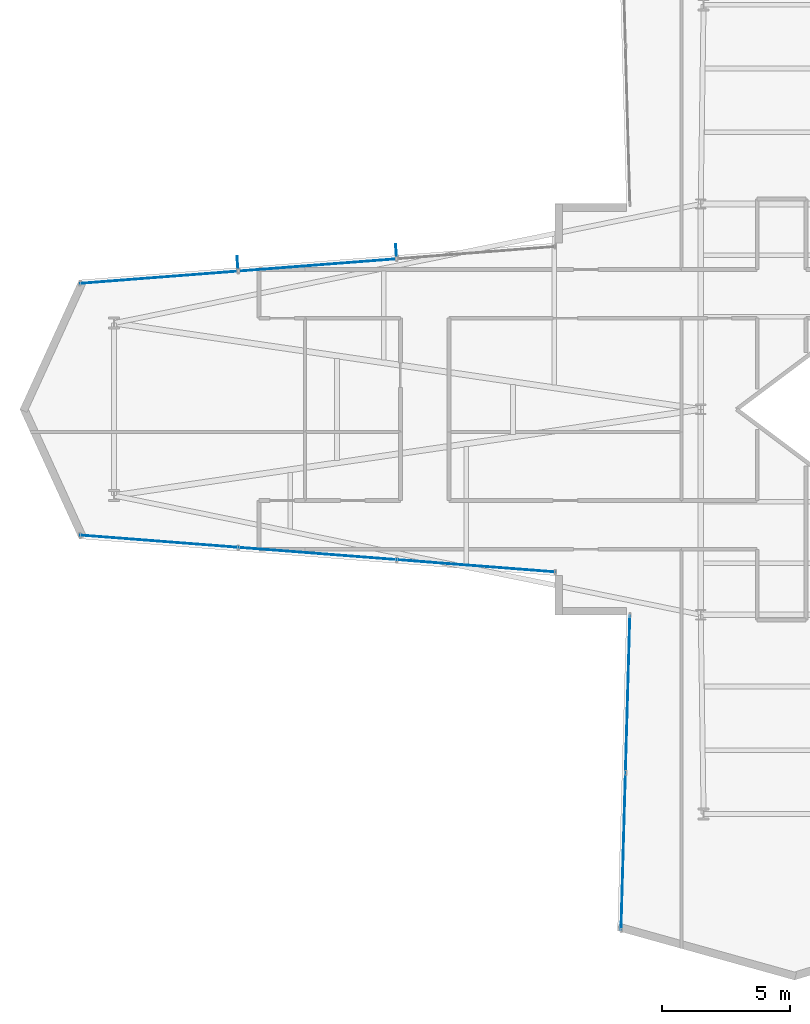
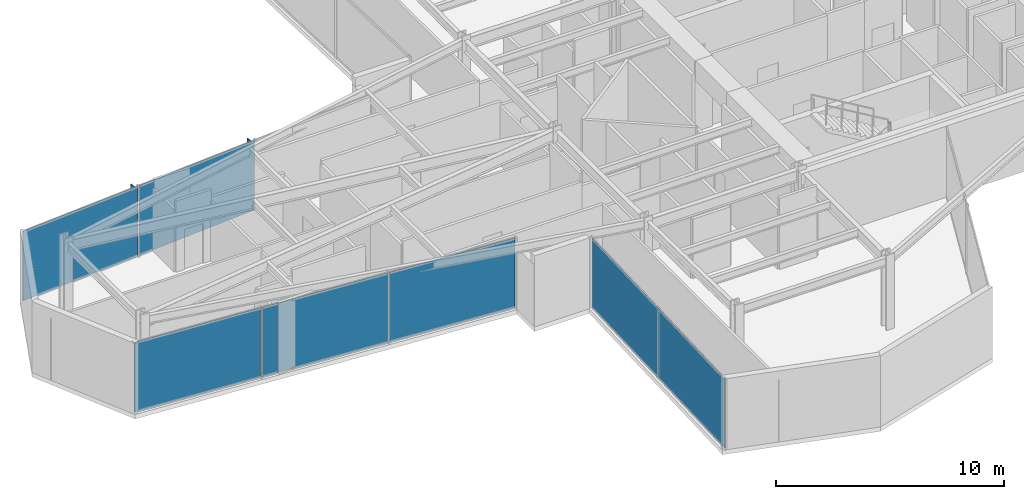
# One storey, part 24 of 30: 9 plates, 3 elements without a shape of their own.
"""IFC4 building model written with IfcOpenShell, lengths in metres."""

from ifc_helpers import new_model, si_unit, direction, frame, origin, origin_2d, place, context, subcontext, project, spatial, rectangle, extrude, material, layer, layer_set, type_object, element, aggregate, save


model = new_model("IFC4")

# Units and contexts
model_context = context("Model", 3, precision=1e-05, world=origin(), true_north=direction((0.0, 1.0)))
body_context = subcontext(model_context, "Body", "Model", "MODEL_VIEW")
ifc_project = project(units=[si_unit("LENGTHUNIT", "METRE"), si_unit("AREAUNIT", "SQUARE_METRE"), si_unit("VOLUMEUNIT", "CUBIC_METRE"), si_unit("PLANEANGLEUNIT", "RADIAN"), si_unit("MASSUNIT", "GRAM", prefix="KILO")], contexts=[model_context])

# Site, building, storey
site_placement = place(None, origin())
site = spatial("IfcSite", under=ifc_project, at=site_placement, CompositionType="ELEMENT")
building_placement = place(site_placement, origin())
building = spatial("IfcBuilding", under=site, at=building_placement, Name="Veymaron Broadcast Tower", CompositionType="ELEMENT")
storey_placement = place(building_placement, frame((0.0, 0.0, 49.949951171875)))
storey = spatial("IfcBuildingStorey", under=building, at=storey_placement, Name="L10", CompositionType="ELEMENT", Elevation=49.949951171875)

# Curtain wall, plates
ifc_material_1 = material(Name="Anodised aluminium AA 6063-T6 and laminated low-E dark glass", Category="aluminium")
ifc_layer_1 = layer(ifc_material_1, 0.179931640625)
ifc_layer_set_1 = layer_set([ifc_layer_1], Name="Anodised aluminium AA 6063-T6 and laminated low-E dark glass")
curtain_wall_type = type_object("IfcCurtainWallType", Name="CW-SYS-02", PredefinedType="NOTDEFINED", material=ifc_layer_set_1)
curtain_wall_1_placement = place(storey_placement, origin())
curtain_wall_1 = element("IfcCurtainWall", 1, at=curtain_wall_1_placement, inside=storey, type_object=curtain_wall_type, Name="L10 dark-glass curtain wall CW-L10-E11-1", PredefinedType="NOTDEFINED")
ifc_material_2 = material(Name="Double-silver solar-control dark glass IGU 32 mm", Category="glass")
ifc_layer_2 = layer(ifc_material_2, 0.031982421875)
ifc_layer_set_2 = layer_set([ifc_layer_2], Name="Double-silver solar-control dark glass IGU 32 mm")
plate_type_1 = type_object("IfcPlateType", Name="CW-PNL-02", PredefinedType="CURTAIN_PANEL", material=ifc_layer_set_2)
plate_1_placement = place(storey_placement, frame((16.27490234375, 29.618408203125, 0.0400390625), z_axis=(0.0, 0.0, 1.0), x_axis=(-0.997008399866, -0.07729327653, 0.0)))
plate_1 = element("IfcPlate", 2, at=plate_1_placement, type_object=plate_type_1, Name="CW-L10-E11-1 unitised curtain panel 1", PredefinedType="CURTAIN_PANEL", context=body_context, shape_type="SweptSolid", body=[
    extrude(rectangle(XDim=6.134521484375, YDim=0.031982421875, at=origin_2d()), origin(), (0.0, 0.0, 1.0), 3.72998046875),
])
plate_2_placement = place(storey_placement, frame((10.098876953125, 29.139404296875, 0.0400390625), z_axis=(0.0, 0.0, 1.0), x_axis=(-0.997008399866, -0.07729327653, 0.0)))
plate_2 = element("IfcPlate", 3, at=plate_2_placement, type_object=plate_type_1, Name="CW-L10-E11-1 unitised curtain panel 2", PredefinedType="CURTAIN_PANEL", context=body_context, shape_type="SweptSolid", body=[
    extrude(rectangle(XDim=6.134521484375, YDim=0.031982421875, at=origin_2d()), origin(), (0.0, 0.0, 1.0), 3.72998046875),
])
aggregate(curtain_wall_1, [plate_1, plate_2])

curtain_wall_2_placement = place(storey_placement, origin())
curtain_wall_2 = element("IfcCurtainWall", 4, at=curtain_wall_2_placement, inside=storey, type_object=curtain_wall_type, Name="L10 dark-glass curtain wall CW-L10-E14-1", PredefinedType="NOTDEFINED")
plate_3_placement = place(storey_placement, frame((10.098876953125, 18.860595703125, 0.0400390625), z_axis=(0.0, 0.0, 1.0), x_axis=(0.997008399866, -0.07729327653, 0.0)))
plate_3 = element("IfcPlate", 5, at=plate_3_placement, type_object=plate_type_1, Name="CW-L10-E14-1 unitised curtain panel 0", PredefinedType="CURTAIN_PANEL", context=body_context, shape_type="SweptSolid", body=[
    extrude(rectangle(XDim=6.134521484375, YDim=0.031982421875, at=origin_2d()), origin(), (0.0, 0.0, 1.0), 3.72998046875),
])
plate_4_placement = place(storey_placement, frame((16.27490234375, 18.381591796875, 0.0400390625), z_axis=(0.0, 0.0, 1.0), x_axis=(0.997008399866, -0.07729327653, 0.0)))
plate_4 = element("IfcPlate", 6, at=plate_4_placement, type_object=plate_type_1, Name="CW-L10-E14-1 unitised curtain panel 1", PredefinedType="CURTAIN_PANEL", context=body_context, shape_type="SweptSolid", body=[
    extrude(rectangle(XDim=6.134521484375, YDim=0.031982421875, at=origin_2d()), origin(), (0.0, 0.0, 1.0), 3.72998046875),
])
plate_5_placement = place(storey_placement, frame((22.45068359375, 17.90283203125, 0.0400390625), z_axis=(0.0, 0.0, 1.0), x_axis=(0.997008399866, -0.07729327653, 0.0)))
plate_5 = element("IfcPlate", 7, at=plate_5_placement, type_object=plate_type_1, Name="CW-L10-E14-1 unitised curtain panel 2", PredefinedType="CURTAIN_PANEL", context=body_context, shape_type="SweptSolid", body=[
    extrude(rectangle(XDim=6.134521484375, YDim=0.031982421875, at=origin_2d()), origin(), (0.0, 0.0, 1.0), 3.72998046875),
])
aggregate(curtain_wall_2, [plate_3, plate_4, plate_5])

curtain_wall_3_placement = place(storey_placement, origin())
curtain_wall_3 = element("IfcCurtainWall", 8, at=curtain_wall_3_placement, inside=storey, type_object=curtain_wall_type, Name="L10 dark-glass curtain wall CW-L10-E17-1", PredefinedType="NOTDEFINED")
plate_6_placement = place(storey_placement, frame((28.35888671875, 12.922119140625, 0.0400390625), z_axis=(0.0, 0.0, 1.0), x_axis=(-0.028113549573, -0.999604736048, 0.0)))
plate_6 = element("IfcPlate", 9, at=plate_6_placement, type_object=plate_type_1, Name="CW-L10-E17-1 unitised curtain panel 0", PredefinedType="CURTAIN_PANEL", context=body_context, shape_type="SweptSolid", body=[
    extrude(rectangle(XDim=6.09033203125, YDim=0.031982421875, at=origin_2d()), origin(), (0.0, 0.0, 1.0), 3.72998046875),
])
plate_7_placement = place(storey_placement, frame((28.18603515625, 6.774169921875, 0.0400390625), z_axis=(0.0, 0.0, 1.0), x_axis=(-0.028113549573, -0.999604736048, 0.0)))
plate_7 = element("IfcPlate", 10, at=plate_7_placement, type_object=plate_type_1, Name="CW-L10-E17-1 unitised curtain panel 1", PredefinedType="CURTAIN_PANEL", context=body_context, shape_type="SweptSolid", body=[
    extrude(rectangle(XDim=6.09033203125, YDim=0.031982421875, at=origin_2d()), origin(), (0.0, 0.0, 1.0), 3.72998046875),
])
aggregate(curtain_wall_3, [plate_6, plate_7])

# Plates
ifc_material_3 = material(Name="Dark-anodised aluminium AA 6061-T6", Category="aluminium")
ifc_layer_3 = layer(ifc_material_3, 0.034912109375)
ifc_layer_set_3 = layer_set([ifc_layer_3], Name="Dark-anodised aluminium AA 6061-T6")
plate_type_2 = type_object("IfcPlateType", Name="FIN-CHEV-01", PredefinedType="USERDEFINED", material=ifc_layer_set_3)
for number, where, z_axis, x_axis, name in (
    (11, (19.33544921875, 30.211669921875, 0.2666015625), (0.0, 0.0, 1.0), (-0.07729327653, 0.997008399866, 0.0), "CW-L10-E11-1 chevron fin 1"),
    (12, (13.159423828125, 29.73291015625, 0.2666015625), (0.0, 0.0, 1.0), (-0.07729327653, 0.997008399866, 0.0), "CW-L10-E11-1 chevron fin 2"),
):
    element("IfcPlate", number, at=place(storey_placement, frame(where, z_axis=z_axis, x_axis=x_axis)), inside=storey, type_object=plate_type_2, Name=name, ObjectType="FIN", PredefinedType="USERDEFINED", context=body_context, shape_type="SweptSolid", body=[
        extrude(rectangle(XDim=0.449951171875, YDim=0.034912109375, at=origin_2d()), origin(), (0.0, 0.0, 1.0), 3.276611328125),
    ])

save(model, "model.ifc")
